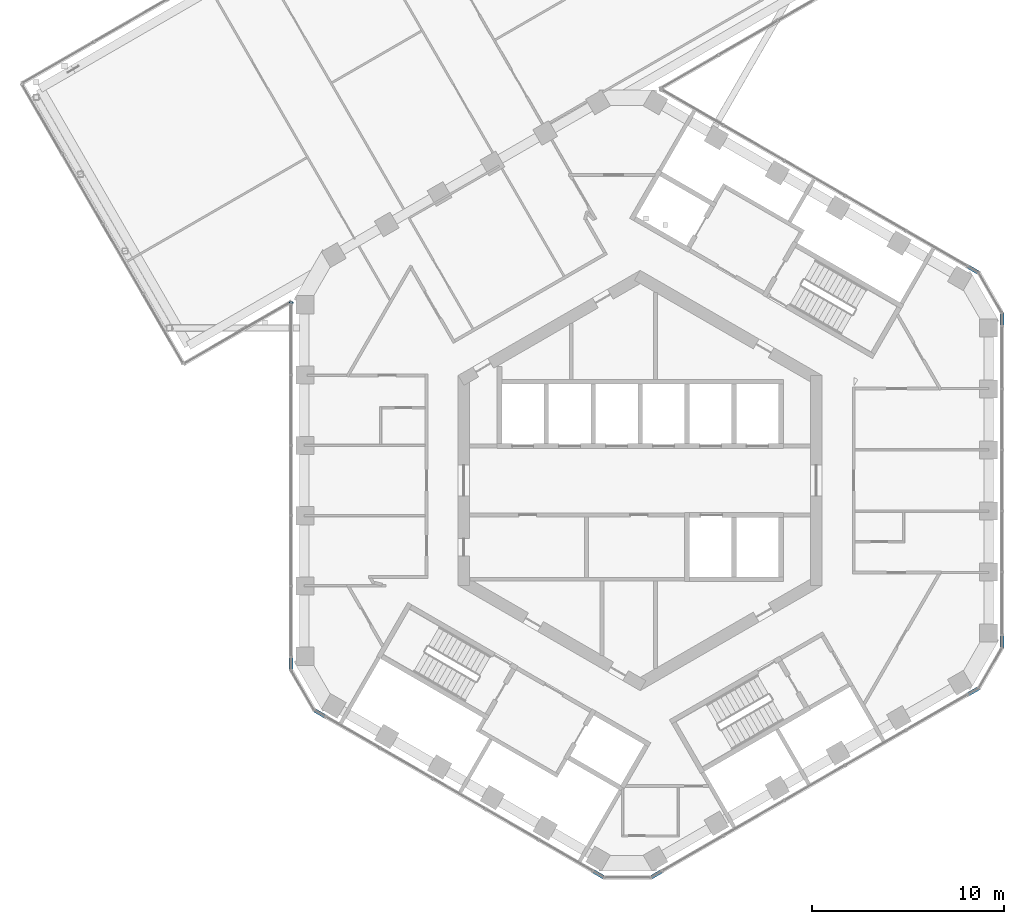
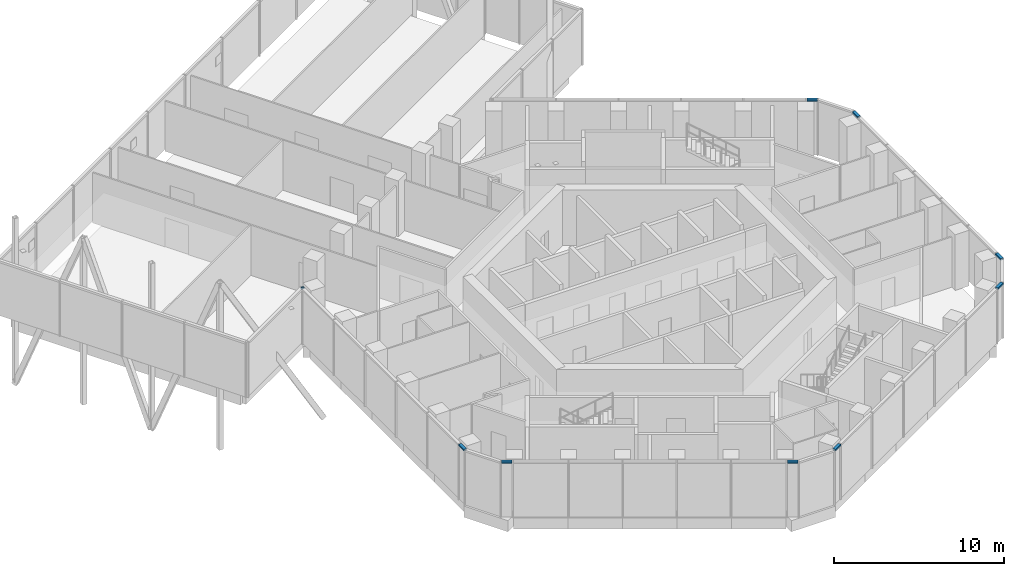
# One storey, part 8 of 21: 9 members, 5 elements without a shape of their own.
"""IFC4 building model written with IfcOpenShell, lengths in metres."""

from ifc_helpers import new_model, si_unit, direction, frame, origin, origin_2d, place, context, subcontext, project, spatial, rectangle, extrude, material, layer, layer_set, material_profile, profile_set, type_object, element, aggregate, save


model = new_model("IFC4")

# Units and contexts
model_context = context("Model", 3, precision=1e-05, world=origin(), true_north=direction((0.0, 1.0)))
body_context = subcontext(model_context, "Body", "Model", "MODEL_VIEW")
ifc_project = project(units=[si_unit("LENGTHUNIT", "METRE"), si_unit("AREAUNIT", "SQUARE_METRE"), si_unit("VOLUMEUNIT", "CUBIC_METRE"), si_unit("PLANEANGLEUNIT", "RADIAN"), si_unit("MASSUNIT", "GRAM", prefix="KILO")], contexts=[model_context])

# Site, building, storey
site_placement = place(None, origin())
site = spatial("IfcSite", under=ifc_project, at=site_placement, CompositionType="ELEMENT")
building_placement = place(site_placement, origin())
building = spatial("IfcBuilding", under=site, at=building_placement, Name="Ayvan Gate Tower", CompositionType="ELEMENT")
storey_placement = place(building_placement, frame((0.0, 0.0, 190.699951171875)))
storey = spatial("IfcBuildingStorey", under=building, at=storey_placement, Name="L51", CompositionType="ELEMENT", Elevation=190.699951171875)

# Curtain wall, members
ifc_material = material(Name="Bronze anodised aluminium", Category="aluminium")
ifc_layer = layer(ifc_material, 0.199951171875)
ifc_layer_set = layer_set([ifc_layer], Name="Bronze anodised aluminium")
curtain_wall_type = type_object("IfcCurtainWallType", Name="Stick curtain wall CW-6", PredefinedType="NOTDEFINED", material=ifc_layer_set)
curtain_wall_1_placement = place(storey_placement, origin())
curtain_wall_1 = element("IfcCurtainWall", 1, at=curtain_wall_1_placement, inside=storey, type_object=curtain_wall_type, Name="Stick curtain wall CW-6 L51", PredefinedType="NOTDEFINED")
ifc_material_profile = material_profile(ifc_material, rectangle(XDim=0.199951171875, YDim=0.1201171875, at=origin_2d()), Name="Stick curtain wall CW-6 transom 200 x 120")
ifc_profile_set = profile_set([ifc_material_profile], Name="Bronze anodised aluminium")
member_type = type_object("IfcMemberType", Name="Stick curtain wall CW-6 transom 200 x 120", PredefinedType="USERDEFINED", material=ifc_profile_set)
member_1_placement = place(storey_placement, frame((-18.22314453125, -9.2431640625, 3.93994140625), z_axis=(0.0, -1.0, 0.0), x_axis=(1.0, 0.0, 0.0)))
member_1 = element("IfcMember", 2, at=member_1_placement, type_object=member_type, Name="CW-6 transom 1", ObjectType="TRANSOM", PredefinedType="USERDEFINED", context=body_context, shape_type="SweptSolid", body=[
    extrude(rectangle(XDim=0.199951171875, YDim=0.1201171875, at=origin_2d()), origin(), (0.0, 0.0, 1.0), 0.625),
])
member_2_placement = place(storey_placement, frame((-16.994384765625, -11.99658203125, 3.93994140625), z_axis=(0.866022959057, -0.500004234368, 0.0), x_axis=(0.500004234368, 0.866022959057, 0.0)))
member_2 = element("IfcMember", 3, at=member_2_placement, type_object=member_type, Name="CW-6 transom 3", ObjectType="TRANSOM", PredefinedType="USERDEFINED", context=body_context, shape_type="SweptSolid", body=[
    extrude(rectangle(XDim=0.199951171875, YDim=0.1201171875, at=origin_2d()), origin(), (0.0, 0.0, 1.0), 0.625),
])
aggregate(curtain_wall_1, [member_1, member_2])

curtain_wall_2_placement = place(storey_placement, origin())
curtain_wall_2 = element("IfcCurtainWall", 4, at=curtain_wall_2_placement, inside=storey, type_object=curtain_wall_type, Name="Stick curtain wall CW-6 L51", PredefinedType="NOTDEFINED")
member_3_placement = place(storey_placement, frame((-2.43359375, -20.4033203125, 3.93994140625), z_axis=(0.866022959057, -0.500004234368, 0.0), x_axis=(0.500004234368, 0.866022959057, 0.0)))
member_3 = element("IfcMember", 5, at=member_3_placement, type_object=member_type, Name="CW-6 transom 1", ObjectType="TRANSOM", PredefinedType="USERDEFINED", context=body_context, shape_type="SweptSolid", body=[
    extrude(rectangle(XDim=0.199951171875, YDim=0.1201171875, at=origin_2d()), origin(), (0.0, 0.0, 1.0), 0.625),
])
member_4_placement = place(storey_placement, frame((0.565673828125, -20.7158203125, 3.93994140625), z_axis=(0.866022959057, 0.500004234368, 0.0), x_axis=(-0.500004234368, 0.866022959057, 0.0)))
member_4 = element("IfcMember", 6, at=member_4_placement, type_object=member_type, Name="CW-6 transom 3", ObjectType="TRANSOM", PredefinedType="USERDEFINED", context=body_context, shape_type="SweptSolid", body=[
    extrude(rectangle(XDim=0.199951171875, YDim=0.1201171875, at=origin_2d()), origin(), (0.0, 0.0, 1.0), 0.625),
])
aggregate(curtain_wall_2, [member_3, member_4])

curtain_wall_3_placement = place(storey_placement, origin())
curtain_wall_3 = element("IfcCurtainWall", 7, at=curtain_wall_3_placement, inside=storey, type_object=curtain_wall_type, Name="Stick curtain wall CW-6 L51", PredefinedType="NOTDEFINED")
member_5_placement = place(storey_placement, frame((17.116455078125, -11.16015625, 3.93994140625), z_axis=(0.866022959057, 0.500004234368, 0.0), x_axis=(-0.500004234368, 0.866022959057, 0.0)))
member_5 = element("IfcMember", 8, at=member_5_placement, type_object=member_type, Name="CW-6 transom 1", ObjectType="TRANSOM", PredefinedType="USERDEFINED", context=body_context, shape_type="SweptSolid", body=[
    extrude(rectangle(XDim=0.199951171875, YDim=0.1201171875, at=origin_2d()), origin(), (0.0, 0.0, 1.0), 0.625),
])
member_6_placement = place(storey_placement, frame((18.886474609375, -8.71923828125, 3.93994140625), z_axis=(0.0, 1.0, 0.0), x_axis=(-1.0, 0.0, 0.0)))
member_6 = element("IfcMember", 9, at=member_6_placement, type_object=member_type, Name="CW-6 transom 3", ObjectType="TRANSOM", PredefinedType="USERDEFINED", context=body_context, shape_type="SweptSolid", body=[
    extrude(rectangle(XDim=0.199951171875, YDim=0.1201171875, at=origin_2d()), origin(), (0.0, 0.0, 1.0), 0.625),
])
aggregate(curtain_wall_3, [member_5, member_6])

curtain_wall_4_placement = place(storey_placement, origin())
curtain_wall_4 = element("IfcCurtainWall", 10, at=curtain_wall_4_placement, inside=storey, type_object=curtain_wall_type, Name="Stick curtain wall CW-6 L51", PredefinedType="NOTDEFINED")
member_7_placement = place(storey_placement, frame((18.886474609375, 8.09423828125, 3.93994140625), z_axis=(0.0, 1.0, 0.0), x_axis=(-1.0, 0.0, 0.0)))
member_7 = element("IfcMember", 11, at=member_7_placement, type_object=member_type, Name="CW-6 transom 1", ObjectType="TRANSOM", PredefinedType="USERDEFINED", context=body_context, shape_type="SweptSolid", body=[
    extrude(rectangle(XDim=0.199951171875, YDim=0.1201171875, at=origin_2d()), origin(), (0.0, 0.0, 1.0), 0.625),
])
member_8_placement = place(storey_placement, frame((17.65771484375, 10.84765625, 3.93994140625), z_axis=(-0.866022959057, 0.500004234368, 0.0), x_axis=(-0.500004234368, -0.866022959057, 0.0)))
member_8 = element("IfcMember", 12, at=member_8_placement, type_object=member_type, Name="CW-6 transom 3", ObjectType="TRANSOM", PredefinedType="USERDEFINED", context=body_context, shape_type="SweptSolid", body=[
    extrude(rectangle(XDim=0.199951171875, YDim=0.1201171875, at=origin_2d()), origin(), (0.0, 0.0, 1.0), 0.625),
])
aggregate(curtain_wall_4, [member_7, member_8])

# Curtain wall, member
curtain_wall_5_placement = place(storey_placement, origin())
curtain_wall_5 = element("IfcCurtainWall", 13, at=curtain_wall_5_placement, inside=storey, type_object=curtain_wall_type, Name="Stick curtain wall CW-6 L51", PredefinedType="NOTDEFINED")
member_9_placement = place(storey_placement, frame((-18.197509765625, 9.3388671875, 3.93994140625), z_axis=(-0.258736085224, -0.965948051503, 0.0), x_axis=(0.965948051503, -0.258736085224, 0.0)))
member_9 = element("IfcMember", 14, at=member_9_placement, type_object=member_type, Name="CW-6 transom 1", ObjectType="TRANSOM", PredefinedType="USERDEFINED", context=body_context, shape_type="SweptSolid", body=[
    extrude(rectangle(XDim=0.199951171875, YDim=0.1201171875, at=origin_2d()), origin(), (0.0, 0.0, 1.0), 0.09912109375),
])
aggregate(curtain_wall_5, [member_9])

save(model, "model.ifc")
